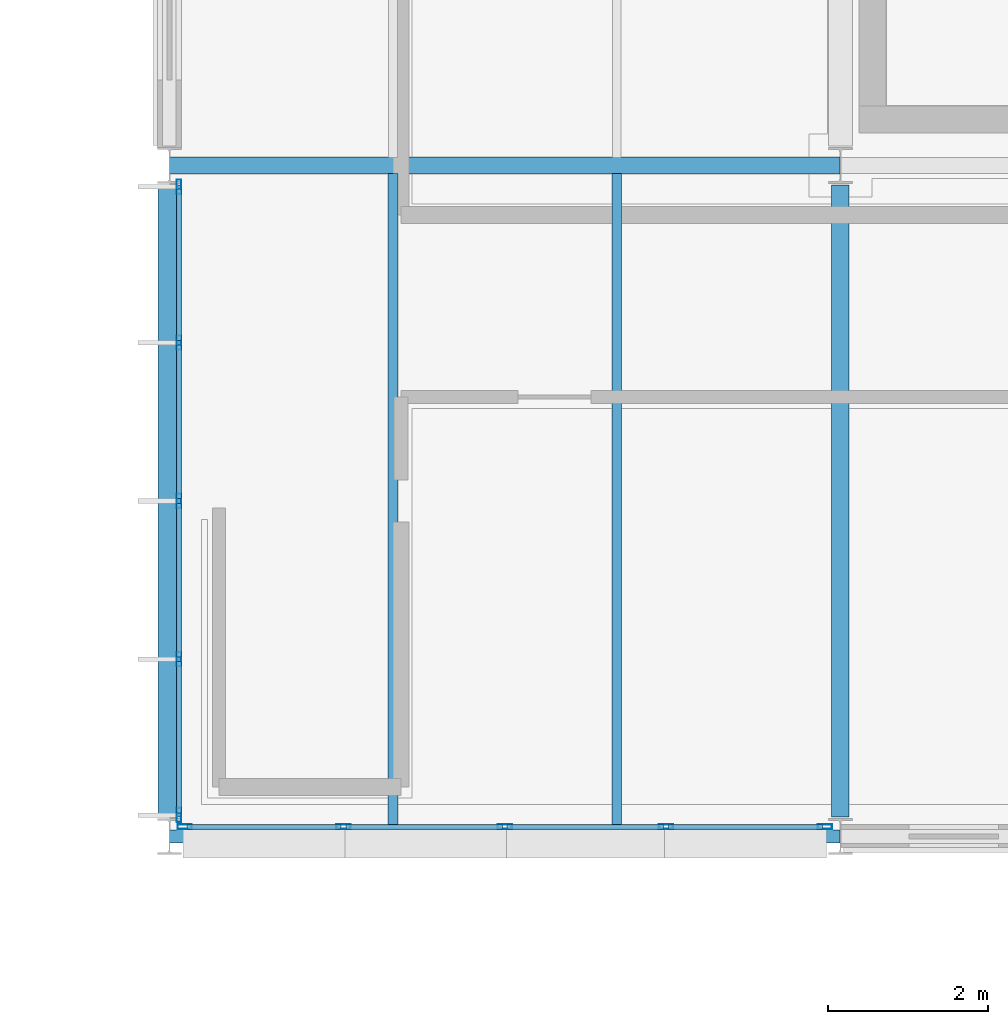
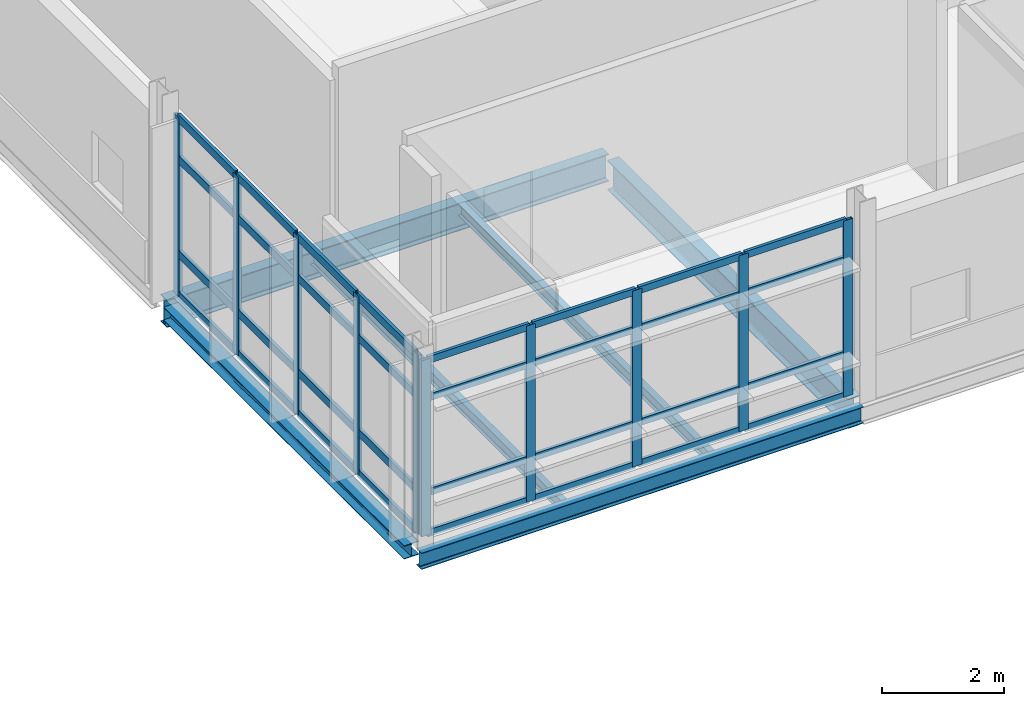
# One storey, part 66 of 103: 42 members, 6 beams, 2 elements without a shape of their own.
"""IFC4 building model written with IfcOpenShell, lengths in metres."""

from ifc_helpers import new_model, si_unit, direction, frame, origin, origin_2d, place, context, subcontext, project, spatial, hollow_rectangle, i_section, extrude, material, material_profile, profile_set, type_object, element, aggregate, save


model = new_model("IFC4")

# Units and contexts
model_context = context("Model", 3, precision=1e-05, world=origin(), true_north=direction((0.0, 1.0)))
body_context = subcontext(model_context, "Body", "Model", "MODEL_VIEW")
ifc_project = project(units=[si_unit("LENGTHUNIT", "METRE"), si_unit("AREAUNIT", "SQUARE_METRE"), si_unit("VOLUMEUNIT", "CUBIC_METRE"), si_unit("PLANEANGLEUNIT", "RADIAN"), si_unit("MASSUNIT", "GRAM", prefix="KILO")], contexts=[model_context])

# Site, building, storey
site_placement = place(None, origin())
site = spatial("IfcSite", under=ifc_project, at=site_placement, CompositionType="ELEMENT")
building_placement = place(site_placement, origin())
building = spatial("IfcBuilding", under=site, at=building_placement, Name="Mersafa Astral City Hall", CompositionType="ELEMENT")
storey_placement = place(building_placement, frame((0.0, 0.0, 18.0)))
storey = spatial("IfcBuildingStorey", under=building, at=storey_placement, Name="L04", CompositionType="ELEMENT", Elevation=18.0)

# Curtain wall, members
ifc_material_1 = material(Name="Anodised bronze aluminium framing", Category="aluminium")
curtain_wall_type_1 = type_object("IfcCurtainWallType", Name="ENV-CW-5", PredefinedType="USERDEFINED", material=ifc_material_1)
curtain_wall_1_placement = place(storey_placement, origin())
curtain_wall_1 = element("IfcCurtainWall", 1, at=curtain_wall_1_placement, inside=storey, type_object=curtain_wall_type_1, Name="L04 Unitised solar curtain wall 220", ObjectType="UNITISED CURTAIN WALL", PredefinedType="USERDEFINED")
ifc_material_profile_1 = material_profile(ifc_material_1, hollow_rectangle(XDim=0.06005859375, YDim=0.179931640625, WallThickness=0.00390625, at=origin_2d()), Name="RHS 60x180x4")
ifc_profile_set_1 = profile_set([ifc_material_profile_1], Name="Anodised bronze aluminium framing")
member_type_1 = type_object("IfcMemberType", Name="ENV-CW-MUL-1", PredefinedType="MULLION", material=ifc_profile_set_1)
member_1_placement = place(storey_placement, frame((142.919921875, 108.93310546875, -0.001953125), z_axis=(0.0, 0.0, 1.0), x_axis=(1.0, 0.0, 0.0)))
member_1 = element("IfcMember", 2, at=member_1_placement, type_object=member_type_1, Name="CW-5 mullion 1", PredefinedType="MULLION", context=body_context, shape_type="SweptSolid", body=[
    extrude(hollow_rectangle(XDim=0.06005859375, YDim=0.179931640625, WallThickness=0.00390625, at=origin_2d()), origin(), (0.0, 0.0, 1.0), 3.598876953125),
])
member_2_placement = place(storey_placement, frame((142.919921875, 106.9814453125, -0.001953125), z_axis=(0.0, 0.0, 1.0), x_axis=(1.0, 0.0, 0.0)))
member_2 = element("IfcMember", 3, at=member_2_placement, type_object=member_type_1, Name="CW-5 mullion 2", PredefinedType="MULLION", context=body_context, shape_type="SweptSolid", body=[
    extrude(hollow_rectangle(XDim=0.06005859375, YDim=0.179931640625, WallThickness=0.00390625, at=origin_2d()), origin(), (0.0, 0.0, 1.0), 3.598876953125),
])
member_3_placement = place(storey_placement, frame((142.919921875, 105.0, -0.001953125), z_axis=(0.0, 0.0, 1.0), x_axis=(1.0, 0.0, 0.0)))
member_3 = element("IfcMember", 4, at=member_3_placement, type_object=member_type_1, Name="CW-5 mullion 3", PredefinedType="MULLION", context=body_context, shape_type="SweptSolid", body=[
    extrude(hollow_rectangle(XDim=0.06005859375, YDim=0.179931640625, WallThickness=0.00390625, at=origin_2d()), origin(), (0.0, 0.0, 1.0), 3.598876953125),
])
member_4_placement = place(storey_placement, frame((142.919921875, 103.0185546875, -0.001953125), z_axis=(0.0, 0.0, 1.0), x_axis=(1.0, 0.0, 0.0)))
member_4 = element("IfcMember", 5, at=member_4_placement, type_object=member_type_1, Name="CW-5 mullion 4", PredefinedType="MULLION", context=body_context, shape_type="SweptSolid", body=[
    extrude(hollow_rectangle(XDim=0.06005859375, YDim=0.179931640625, WallThickness=0.00390625, at=origin_2d()), origin(), (0.0, 0.0, 1.0), 3.598876953125),
])
member_5_placement = place(storey_placement, frame((142.919921875, 101.06689453125, -0.001953125), z_axis=(0.0, 0.0, 1.0), x_axis=(1.0, 0.0, 0.0)))
member_5 = element("IfcMember", 6, at=member_5_placement, type_object=member_type_1, Name="CW-5 mullion 5", PredefinedType="MULLION", context=body_context, shape_type="SweptSolid", body=[
    extrude(hollow_rectangle(XDim=0.06005859375, YDim=0.179931640625, WallThickness=0.00390625, at=origin_2d()), origin(), (0.0, 0.0, 1.0), 3.598876953125),
])

curtain_wall_type_2 = type_object("IfcCurtainWallType", Name="ENV-CW-6", PredefinedType="USERDEFINED", material=ifc_material_1)
curtain_wall_2_placement = place(storey_placement, origin())
curtain_wall_2 = element("IfcCurtainWall", 7, at=curtain_wall_2_placement, inside=storey, type_object=curtain_wall_type_2, Name="L04 Unitised solar curtain wall 221", ObjectType="UNITISED CURTAIN WALL", PredefinedType="USERDEFINED")
member_6_placement = place(storey_placement, frame((142.991943359375, 100.919921875, -0.001953125), z_axis=(0.0, 0.0, 1.0), x_axis=(0.0, 1.0, 0.0)))
member_6 = element("IfcMember", 8, at=member_6_placement, type_object=member_type_1, Name="CW-6 mullion 1", PredefinedType="MULLION", context=body_context, shape_type="SweptSolid", body=[
    extrude(hollow_rectangle(XDim=0.06005859375, YDim=0.179931640625, WallThickness=0.00390625, at=origin_2d()), origin(), (0.0, 0.0, 1.0), 3.5390625),
])
member_7_placement = place(storey_placement, frame((144.98095703125, 100.919921875, -0.001953125), z_axis=(0.0, 0.0, 1.0), x_axis=(0.0, 1.0, 0.0)))
member_7 = element("IfcMember", 9, at=member_7_placement, type_object=member_type_1, Name="CW-6 mullion 2", PredefinedType="MULLION", context=body_context, shape_type="SweptSolid", body=[
    extrude(hollow_rectangle(XDim=0.06005859375, YDim=0.179931640625, WallThickness=0.00390625, at=origin_2d()), origin(), (0.0, 0.0, 1.0), 3.5390625),
])
member_8_placement = place(storey_placement, frame((147.0, 100.919921875, -0.001953125), z_axis=(0.0, 0.0, 1.0), x_axis=(0.0, 1.0, 0.0)))
member_8 = element("IfcMember", 10, at=member_8_placement, type_object=member_type_1, Name="CW-6 mullion 3", PredefinedType="MULLION", context=body_context, shape_type="SweptSolid", body=[
    extrude(hollow_rectangle(XDim=0.06005859375, YDim=0.179931640625, WallThickness=0.00390625, at=origin_2d()), origin(), (0.0, 0.0, 1.0), 3.5390625),
])
member_9_placement = place(storey_placement, frame((149.01904296875, 100.919921875, -0.001953125), z_axis=(0.0, 0.0, 1.0), x_axis=(0.0, 1.0, 0.0)))
member_9 = element("IfcMember", 11, at=member_9_placement, type_object=member_type_1, Name="CW-6 mullion 4", PredefinedType="MULLION", context=body_context, shape_type="SweptSolid", body=[
    extrude(hollow_rectangle(XDim=0.06005859375, YDim=0.179931640625, WallThickness=0.00390625, at=origin_2d()), origin(), (0.0, 0.0, 1.0), 3.5390625),
])
member_10_placement = place(storey_placement, frame((151.008056640625, 100.919921875, -0.001953125), z_axis=(0.0, 0.0, 1.0), x_axis=(0.0, 1.0, 0.0)))
member_10 = element("IfcMember", 12, at=member_10_placement, type_object=member_type_1, Name="CW-6 mullion 5", PredefinedType="MULLION", context=body_context, shape_type="SweptSolid", body=[
    extrude(hollow_rectangle(XDim=0.06005859375, YDim=0.179931640625, WallThickness=0.00390625, at=origin_2d()), origin(), (0.0, 0.0, 1.0), 3.5390625),
])
ifc_material_profile_2 = material_profile(ifc_material_1, hollow_rectangle(XDim=0.06005859375, YDim=0.139892578125, WallThickness=0.00390625, at=origin_2d()), Name="RHS 60x140x4")
ifc_profile_set_2 = profile_set([ifc_material_profile_2], Name="Anodised bronze aluminium framing")
member_type_2 = type_object("IfcMemberType", Name="ENV-CW-TRN-1", PredefinedType="USERDEFINED", material=ifc_profile_set_2)
member_11_placement = place(storey_placement, frame((143.02197265625, 100.919921875, 0.028076171875), z_axis=(1.0, 0.0, 0.0), x_axis=(0.0, 1.0, 0.0)))
member_11 = element("IfcMember", 13, at=member_11_placement, type_object=member_type_2, Name="CW-6 transom 1.1", ObjectType="TRANSOM", PredefinedType="USERDEFINED", context=body_context, shape_type="SweptSolid", body=[
    extrude(hollow_rectangle(XDim=0.06005859375, YDim=0.139892578125, WallThickness=0.00390625, at=origin_2d()), origin(), (0.0, 0.0, 1.0), 1.928955078125),
])
member_12_placement = place(storey_placement, frame((143.02197265625, 100.919921875, 0.85009765625), z_axis=(1.0, 0.0, 0.0), x_axis=(0.0, 1.0, 0.0)))
member_12 = element("IfcMember", 14, at=member_12_placement, type_object=member_type_2, Name="CW-6 transom 1.2", ObjectType="TRANSOM", PredefinedType="USERDEFINED", context=body_context, shape_type="SweptSolid", body=[
    extrude(hollow_rectangle(XDim=0.06005859375, YDim=0.139892578125, WallThickness=0.00390625, at=origin_2d()), origin(), (0.0, 0.0, 1.0), 1.928955078125),
])
member_13_placement = place(storey_placement, frame((143.02197265625, 100.919921875, 2.75), z_axis=(1.0, 0.0, 0.0), x_axis=(0.0, 1.0, 0.0)))
member_13 = element("IfcMember", 15, at=member_13_placement, type_object=member_type_2, Name="CW-6 transom 1.3", ObjectType="TRANSOM", PredefinedType="USERDEFINED", context=body_context, shape_type="SweptSolid", body=[
    extrude(hollow_rectangle(XDim=0.06005859375, YDim=0.139892578125, WallThickness=0.00390625, at=origin_2d()), origin(), (0.0, 0.0, 1.0), 1.928955078125),
])
member_14_placement = place(storey_placement, frame((143.02197265625, 100.919921875, 3.507080078125), z_axis=(1.0, 0.0, 0.0), x_axis=(0.0, 1.0, 0.0)))
member_14 = element("IfcMember", 16, at=member_14_placement, type_object=member_type_2, Name="CW-6 transom 1.4", ObjectType="TRANSOM", PredefinedType="USERDEFINED", context=body_context, shape_type="SweptSolid", body=[
    extrude(hollow_rectangle(XDim=0.06005859375, YDim=0.139892578125, WallThickness=0.00390625, at=origin_2d()), origin(), (0.0, 0.0, 1.0), 1.928955078125),
])
member_15_placement = place(storey_placement, frame((145.010986328125, 100.919921875, 0.028076171875), z_axis=(1.0, 0.0, 0.0), x_axis=(0.0, 1.0, 0.0)))
member_15 = element("IfcMember", 17, at=member_15_placement, type_object=member_type_2, Name="CW-6 transom 2.1", ObjectType="TRANSOM", PredefinedType="USERDEFINED", context=body_context, shape_type="SweptSolid", body=[
    extrude(hollow_rectangle(XDim=0.06005859375, YDim=0.139892578125, WallThickness=0.00390625, at=origin_2d()), origin(), (0.0, 0.0, 1.0), 1.958984375),
])
member_16_placement = place(storey_placement, frame((145.010986328125, 100.919921875, 0.85009765625), z_axis=(1.0, 0.0, 0.0), x_axis=(0.0, 1.0, 0.0)))
member_16 = element("IfcMember", 18, at=member_16_placement, type_object=member_type_2, Name="CW-6 transom 2.2", ObjectType="TRANSOM", PredefinedType="USERDEFINED", context=body_context, shape_type="SweptSolid", body=[
    extrude(hollow_rectangle(XDim=0.06005859375, YDim=0.139892578125, WallThickness=0.00390625, at=origin_2d()), origin(), (0.0, 0.0, 1.0), 1.958984375),
])
member_17_placement = place(storey_placement, frame((145.010986328125, 100.919921875, 2.75), z_axis=(1.0, 0.0, 0.0), x_axis=(0.0, 1.0, 0.0)))
member_17 = element("IfcMember", 19, at=member_17_placement, type_object=member_type_2, Name="CW-6 transom 2.3", ObjectType="TRANSOM", PredefinedType="USERDEFINED", context=body_context, shape_type="SweptSolid", body=[
    extrude(hollow_rectangle(XDim=0.06005859375, YDim=0.139892578125, WallThickness=0.00390625, at=origin_2d()), origin(), (0.0, 0.0, 1.0), 1.958984375),
])
member_18_placement = place(storey_placement, frame((145.010986328125, 100.919921875, 3.507080078125), z_axis=(1.0, 0.0, 0.0), x_axis=(0.0, 1.0, 0.0)))
member_18 = element("IfcMember", 20, at=member_18_placement, type_object=member_type_2, Name="CW-6 transom 2.4", ObjectType="TRANSOM", PredefinedType="USERDEFINED", context=body_context, shape_type="SweptSolid", body=[
    extrude(hollow_rectangle(XDim=0.06005859375, YDim=0.139892578125, WallThickness=0.00390625, at=origin_2d()), origin(), (0.0, 0.0, 1.0), 1.958984375),
])
member_19_placement = place(storey_placement, frame((147.030029296875, 100.919921875, 0.028076171875), z_axis=(1.0, 0.0, 0.0), x_axis=(0.0, 1.0, 0.0)))
member_19 = element("IfcMember", 21, at=member_19_placement, type_object=member_type_2, Name="CW-6 transom 3.1", ObjectType="TRANSOM", PredefinedType="USERDEFINED", context=body_context, shape_type="SweptSolid", body=[
    extrude(hollow_rectangle(XDim=0.06005859375, YDim=0.139892578125, WallThickness=0.00390625, at=origin_2d()), origin(), (0.0, 0.0, 1.0), 1.958984375),
])
member_20_placement = place(storey_placement, frame((147.030029296875, 100.919921875, 0.85009765625), z_axis=(1.0, 0.0, 0.0), x_axis=(0.0, 1.0, 0.0)))
member_20 = element("IfcMember", 22, at=member_20_placement, type_object=member_type_2, Name="CW-6 transom 3.2", ObjectType="TRANSOM", PredefinedType="USERDEFINED", context=body_context, shape_type="SweptSolid", body=[
    extrude(hollow_rectangle(XDim=0.06005859375, YDim=0.139892578125, WallThickness=0.00390625, at=origin_2d()), origin(), (0.0, 0.0, 1.0), 1.958984375),
])
member_21_placement = place(storey_placement, frame((147.030029296875, 100.919921875, 2.75), z_axis=(1.0, 0.0, 0.0), x_axis=(0.0, 1.0, 0.0)))
member_21 = element("IfcMember", 23, at=member_21_placement, type_object=member_type_2, Name="CW-6 transom 3.3", ObjectType="TRANSOM", PredefinedType="USERDEFINED", context=body_context, shape_type="SweptSolid", body=[
    extrude(hollow_rectangle(XDim=0.06005859375, YDim=0.139892578125, WallThickness=0.00390625, at=origin_2d()), origin(), (0.0, 0.0, 1.0), 1.958984375),
])
member_22_placement = place(storey_placement, frame((147.030029296875, 100.919921875, 3.507080078125), z_axis=(1.0, 0.0, 0.0), x_axis=(0.0, 1.0, 0.0)))
member_22 = element("IfcMember", 24, at=member_22_placement, type_object=member_type_2, Name="CW-6 transom 3.4", ObjectType="TRANSOM", PredefinedType="USERDEFINED", context=body_context, shape_type="SweptSolid", body=[
    extrude(hollow_rectangle(XDim=0.06005859375, YDim=0.139892578125, WallThickness=0.00390625, at=origin_2d()), origin(), (0.0, 0.0, 1.0), 1.958984375),
])
member_23_placement = place(storey_placement, frame((149.049072265625, 100.919921875, 0.028076171875), z_axis=(1.0, 0.0, 0.0), x_axis=(0.0, 1.0, 0.0)))
member_23 = element("IfcMember", 25, at=member_23_placement, type_object=member_type_2, Name="CW-6 transom 4.1", ObjectType="TRANSOM", PredefinedType="USERDEFINED", context=body_context, shape_type="SweptSolid", body=[
    extrude(hollow_rectangle(XDim=0.06005859375, YDim=0.139892578125, WallThickness=0.00390625, at=origin_2d()), origin(), (0.0, 0.0, 1.0), 1.928955078125),
])
member_24_placement = place(storey_placement, frame((149.049072265625, 100.919921875, 0.85009765625), z_axis=(1.0, 0.0, 0.0), x_axis=(0.0, 1.0, 0.0)))
member_24 = element("IfcMember", 26, at=member_24_placement, type_object=member_type_2, Name="CW-6 transom 4.2", ObjectType="TRANSOM", PredefinedType="USERDEFINED", context=body_context, shape_type="SweptSolid", body=[
    extrude(hollow_rectangle(XDim=0.06005859375, YDim=0.139892578125, WallThickness=0.00390625, at=origin_2d()), origin(), (0.0, 0.0, 1.0), 1.928955078125),
])
member_25_placement = place(storey_placement, frame((149.049072265625, 100.919921875, 2.75), z_axis=(1.0, 0.0, 0.0), x_axis=(0.0, 1.0, 0.0)))
member_25 = element("IfcMember", 27, at=member_25_placement, type_object=member_type_2, Name="CW-6 transom 4.3", ObjectType="TRANSOM", PredefinedType="USERDEFINED", context=body_context, shape_type="SweptSolid", body=[
    extrude(hollow_rectangle(XDim=0.06005859375, YDim=0.139892578125, WallThickness=0.00390625, at=origin_2d()), origin(), (0.0, 0.0, 1.0), 1.928955078125),
])
member_26_placement = place(storey_placement, frame((149.049072265625, 100.919921875, 3.507080078125), z_axis=(1.0, 0.0, 0.0), x_axis=(0.0, 1.0, 0.0)))
member_26 = element("IfcMember", 28, at=member_26_placement, type_object=member_type_2, Name="CW-6 transom 4.4", ObjectType="TRANSOM", PredefinedType="USERDEFINED", context=body_context, shape_type="SweptSolid", body=[
    extrude(hollow_rectangle(XDim=0.06005859375, YDim=0.139892578125, WallThickness=0.00390625, at=origin_2d()), origin(), (0.0, 0.0, 1.0), 1.928955078125),
])
aggregate(curtain_wall_2, [member_6, member_7, member_8, member_9, member_10, member_11, member_12, member_13, member_14, member_15, member_16, member_17, member_18, member_19, member_20, member_21, member_22, member_23, member_24, member_25, member_26])

# Member
ifc_material_profile_3 = material_profile(ifc_material_1, hollow_rectangle(XDim=0.06005859375, YDim=0.159912109375, WallThickness=0.00390625, at=origin_2d()), Name="RHS 60x160x4")
ifc_profile_set_3 = profile_set([ifc_material_profile_3], Name="Anodised bronze aluminium framing")
member_type_3 = type_object("IfcMemberType", Name="ENV-CW-TRN-2", PredefinedType="USERDEFINED", material=ifc_profile_set_3)
member_27_placement = place(storey_placement, frame((142.919921875, 108.903076171875, 0.028076171875), z_axis=(0.0, -1.0, 0.0), x_axis=(1.0, 0.0, 0.0)))
member_27 = element("IfcMember", 29, at=member_27_placement, type_object=member_type_3, Name="CW-5 transom 1.1", ObjectType="TRANSOM", PredefinedType="USERDEFINED", context=body_context, shape_type="SweptSolid", body=[
    extrude(hollow_rectangle(XDim=0.06005859375, YDim=0.159912109375, WallThickness=0.00390625, at=origin_2d()), origin(), (0.0, 0.0, 1.0), 1.8916015625),
])

member_28_placement = place(storey_placement, frame((142.919921875, 108.903076171875, 0.85009765625), z_axis=(0.0, -1.0, 0.0), x_axis=(1.0, 0.0, 0.0)))
member_28 = element("IfcMember", 30, at=member_28_placement, type_object=member_type_3, Name="CW-5 transom 1.2", ObjectType="TRANSOM", PredefinedType="USERDEFINED", context=body_context, shape_type="SweptSolid", body=[
    extrude(hollow_rectangle(XDim=0.06005859375, YDim=0.159912109375, WallThickness=0.00390625, at=origin_2d()), origin(), (0.0, 0.0, 1.0), 1.8916015625),
])

member_29_placement = place(storey_placement, frame((142.919921875, 108.903076171875, 2.75), z_axis=(0.0, -1.0, 0.0), x_axis=(1.0, 0.0, 0.0)))
member_29 = element("IfcMember", 31, at=member_29_placement, type_object=member_type_3, Name="CW-5 transom 1.3", ObjectType="TRANSOM", PredefinedType="USERDEFINED", context=body_context, shape_type="SweptSolid", body=[
    extrude(hollow_rectangle(XDim=0.06005859375, YDim=0.159912109375, WallThickness=0.00390625, at=origin_2d()), origin(), (0.0, 0.0, 1.0), 1.8916015625),
])

member_30_placement = place(storey_placement, frame((142.919921875, 108.903076171875, 3.56689453125), z_axis=(0.0, -1.0, 0.0), x_axis=(1.0, 0.0, 0.0)))
member_30 = element("IfcMember", 32, at=member_30_placement, type_object=member_type_3, Name="CW-5 transom 1.4", ObjectType="TRANSOM", PredefinedType="USERDEFINED", context=body_context, shape_type="SweptSolid", body=[
    extrude(hollow_rectangle(XDim=0.06005859375, YDim=0.159912109375, WallThickness=0.00390625, at=origin_2d()), origin(), (0.0, 0.0, 1.0), 1.8916015625),
])

member_31_placement = place(storey_placement, frame((142.919921875, 106.951416015625, 0.028076171875), z_axis=(0.0, -1.0, 0.0), x_axis=(1.0, 0.0, 0.0)))
member_31 = element("IfcMember", 33, at=member_31_placement, type_object=member_type_3, Name="CW-5 transom 2.1", ObjectType="TRANSOM", PredefinedType="USERDEFINED", context=body_context, shape_type="SweptSolid", body=[
    extrude(hollow_rectangle(XDim=0.06005859375, YDim=0.159912109375, WallThickness=0.00390625, at=origin_2d()), origin(), (0.0, 0.0, 1.0), 1.92138671875),
])

member_32_placement = place(storey_placement, frame((142.919921875, 106.951416015625, 0.85009765625), z_axis=(0.0, -1.0, 0.0), x_axis=(1.0, 0.0, 0.0)))
member_32 = element("IfcMember", 34, at=member_32_placement, type_object=member_type_3, Name="CW-5 transom 2.2", ObjectType="TRANSOM", PredefinedType="USERDEFINED", context=body_context, shape_type="SweptSolid", body=[
    extrude(hollow_rectangle(XDim=0.06005859375, YDim=0.159912109375, WallThickness=0.00390625, at=origin_2d()), origin(), (0.0, 0.0, 1.0), 1.92138671875),
])

member_33_placement = place(storey_placement, frame((142.919921875, 106.951416015625, 2.75), z_axis=(0.0, -1.0, 0.0), x_axis=(1.0, 0.0, 0.0)))
member_33 = element("IfcMember", 35, at=member_33_placement, type_object=member_type_3, Name="CW-5 transom 2.3", ObjectType="TRANSOM", PredefinedType="USERDEFINED", context=body_context, shape_type="SweptSolid", body=[
    extrude(hollow_rectangle(XDim=0.06005859375, YDim=0.159912109375, WallThickness=0.00390625, at=origin_2d()), origin(), (0.0, 0.0, 1.0), 1.92138671875),
])

member_34_placement = place(storey_placement, frame((142.919921875, 106.951416015625, 3.56689453125), z_axis=(0.0, -1.0, 0.0), x_axis=(1.0, 0.0, 0.0)))
member_34 = element("IfcMember", 36, at=member_34_placement, type_object=member_type_3, Name="CW-5 transom 2.4", ObjectType="TRANSOM", PredefinedType="USERDEFINED", context=body_context, shape_type="SweptSolid", body=[
    extrude(hollow_rectangle(XDim=0.06005859375, YDim=0.159912109375, WallThickness=0.00390625, at=origin_2d()), origin(), (0.0, 0.0, 1.0), 1.92138671875),
])

member_35_placement = place(storey_placement, frame((142.919921875, 104.969970703125, 0.028076171875), z_axis=(0.0, -1.0, 0.0), x_axis=(1.0, 0.0, 0.0)))
member_35 = element("IfcMember", 37, at=member_35_placement, type_object=member_type_3, Name="CW-5 transom 3.1", ObjectType="TRANSOM", PredefinedType="USERDEFINED", context=body_context, shape_type="SweptSolid", body=[
    extrude(hollow_rectangle(XDim=0.06005859375, YDim=0.159912109375, WallThickness=0.00390625, at=origin_2d()), origin(), (0.0, 0.0, 1.0), 1.92138671875),
])

member_36_placement = place(storey_placement, frame((142.919921875, 104.969970703125, 0.85009765625), z_axis=(0.0, -1.0, 0.0), x_axis=(1.0, 0.0, 0.0)))
member_36 = element("IfcMember", 38, at=member_36_placement, type_object=member_type_3, Name="CW-5 transom 3.2", ObjectType="TRANSOM", PredefinedType="USERDEFINED", context=body_context, shape_type="SweptSolid", body=[
    extrude(hollow_rectangle(XDim=0.06005859375, YDim=0.159912109375, WallThickness=0.00390625, at=origin_2d()), origin(), (0.0, 0.0, 1.0), 1.92138671875),
])

member_37_placement = place(storey_placement, frame((142.919921875, 104.969970703125, 2.75), z_axis=(0.0, -1.0, 0.0), x_axis=(1.0, 0.0, 0.0)))
member_37 = element("IfcMember", 39, at=member_37_placement, type_object=member_type_3, Name="CW-5 transom 3.3", ObjectType="TRANSOM", PredefinedType="USERDEFINED", context=body_context, shape_type="SweptSolid", body=[
    extrude(hollow_rectangle(XDim=0.06005859375, YDim=0.159912109375, WallThickness=0.00390625, at=origin_2d()), origin(), (0.0, 0.0, 1.0), 1.92138671875),
])

member_38_placement = place(storey_placement, frame((142.919921875, 104.969970703125, 3.56689453125), z_axis=(0.0, -1.0, 0.0), x_axis=(1.0, 0.0, 0.0)))
member_38 = element("IfcMember", 40, at=member_38_placement, type_object=member_type_3, Name="CW-5 transom 3.4", ObjectType="TRANSOM", PredefinedType="USERDEFINED", context=body_context, shape_type="SweptSolid", body=[
    extrude(hollow_rectangle(XDim=0.06005859375, YDim=0.159912109375, WallThickness=0.00390625, at=origin_2d()), origin(), (0.0, 0.0, 1.0), 1.92138671875),
])

member_39_placement = place(storey_placement, frame((142.919921875, 102.988525390625, 0.028076171875), z_axis=(0.0, -1.0, 0.0), x_axis=(1.0, 0.0, 0.0)))
member_39 = element("IfcMember", 41, at=member_39_placement, type_object=member_type_3, Name="CW-5 transom 4.1", ObjectType="TRANSOM", PredefinedType="USERDEFINED", context=body_context, shape_type="SweptSolid", body=[
    extrude(hollow_rectangle(XDim=0.06005859375, YDim=0.159912109375, WallThickness=0.00390625, at=origin_2d()), origin(), (0.0, 0.0, 1.0), 1.8916015625),
])

member_40_placement = place(storey_placement, frame((142.919921875, 102.988525390625, 0.85009765625), z_axis=(0.0, -1.0, 0.0), x_axis=(1.0, 0.0, 0.0)))
member_40 = element("IfcMember", 42, at=member_40_placement, type_object=member_type_3, Name="CW-5 transom 4.2", ObjectType="TRANSOM", PredefinedType="USERDEFINED", context=body_context, shape_type="SweptSolid", body=[
    extrude(hollow_rectangle(XDim=0.06005859375, YDim=0.159912109375, WallThickness=0.00390625, at=origin_2d()), origin(), (0.0, 0.0, 1.0), 1.8916015625),
])

member_41_placement = place(storey_placement, frame((142.919921875, 102.988525390625, 2.75), z_axis=(0.0, -1.0, 0.0), x_axis=(1.0, 0.0, 0.0)))
member_41 = element("IfcMember", 43, at=member_41_placement, type_object=member_type_3, Name="CW-5 transom 4.3", ObjectType="TRANSOM", PredefinedType="USERDEFINED", context=body_context, shape_type="SweptSolid", body=[
    extrude(hollow_rectangle(XDim=0.06005859375, YDim=0.159912109375, WallThickness=0.00390625, at=origin_2d()), origin(), (0.0, 0.0, 1.0), 1.8916015625),
])

member_42_placement = place(storey_placement, frame((142.919921875, 102.988525390625, 3.56689453125), z_axis=(0.0, -1.0, 0.0), x_axis=(1.0, 0.0, 0.0)))
member_42 = element("IfcMember", 44, at=member_42_placement, type_object=member_type_3, Name="CW-5 transom 4.4", ObjectType="TRANSOM", PredefinedType="USERDEFINED", context=body_context, shape_type="SweptSolid", body=[
    extrude(hollow_rectangle(XDim=0.06005859375, YDim=0.159912109375, WallThickness=0.00390625, at=origin_2d()), origin(), (0.0, 0.0, 1.0), 1.8916015625),
])

aggregate(curtain_wall_1, [member_1, member_2, member_3, member_4, member_5, member_27, member_28, member_29, member_30, member_31, member_32, member_33, member_34, member_35, member_36, member_37, member_38, member_39, member_40, member_41, member_42])

# Beams
ifc_material_2 = material(Name="Steel S355", Category="steel")
ifc_material_profile_4 = material_profile(ifc_material_2, i_section(OverallWidth=0.2099609375, OverallDepth=0.550048828125, WebThickness=0.010986328125, FlangeThickness=0.01708984375, FilletRadius=0.02392578125, at=origin_2d()), Name="IPE 550")
ifc_profile_set_4 = profile_set([ifc_material_profile_4], Name="Steel S355")
beam_type_1 = type_object("IfcBeamType", Name="STR-BM-IPE550", PredefinedType="BEAM", material=ifc_profile_set_4)
beam_1_placement = place(storey_placement, frame((142.802978515625, 109.199951171875, -0.4599609375), z_axis=(1.0, 0.0, 0.0), x_axis=(0.0, 1.0, 0.0)))
element("IfcBeam", 45, at=beam_1_placement, inside=storey, type_object=beam_type_1, Name="L04 Primary girder X 17-13", PredefinedType="BEAM", context=body_context, shape_type="SweptSolid", body=[
    extrude(i_section(OverallWidth=0.2099609375, OverallDepth=0.550048828125, WebThickness=0.010986328125, FlangeThickness=0.01708984375, FilletRadius=0.02392578125, at=origin_2d()), origin(), (0.0, 0.0, 1.0), 8.39404296875),
])
ifc_material_profile_5 = material_profile(ifc_material_2, i_section(OverallWidth=0.219970703125, OverallDepth=0.60009765625, WebThickness=0.011962890625, FlangeThickness=0.01904296875, FilletRadius=0.02392578125, at=origin_2d()), Name="IPE 600")
ifc_profile_set_5 = profile_set([ifc_material_profile_5], Name="Steel S355")
beam_type_2 = type_object("IfcBeamType", Name="STR-BM-IPE600", PredefinedType="BEAM", material=ifc_profile_set_5)
beam_2_placement = place(storey_placement, frame((151.199951171875, 101.044921875, -0.485107421875), z_axis=(0.0, 1.0, 0.0), x_axis=(-1.0, 0.0, 0.0)))
element("IfcBeam", 46, at=beam_2_placement, inside=storey, type_object=beam_type_2, Name="L04 Primary girder Y 18-12", PredefinedType="BEAM", context=body_context, shape_type="SweptSolid", body=[
    extrude(i_section(OverallWidth=0.219970703125, OverallDepth=0.60009765625, WebThickness=0.011962890625, FlangeThickness=0.01904296875, FilletRadius=0.02392578125, at=origin_2d()), origin(), (0.0, 0.0, 1.0), 7.91015625),
])
ifc_material_profile_6 = material_profile(ifc_material_2, i_section(OverallWidth=0.1201171875, OverallDepth=0.239990234375, WebThickness=0.006103515625, FlangeThickness=0.009765625, FilletRadius=0.014892578125, at=origin_2d()), Name="IPE 240")
ifc_profile_set_6 = profile_set([ifc_material_profile_6], Name="Steel S355")
beam_type_3 = type_object("IfcBeamType", Name="STR-BM-JOIST-IPE240", PredefinedType="JOIST", material=ifc_profile_set_6)
for number, where, z_axis, x_axis, name in (
    (47, (145.60009765625, 100.875, -0.304931640625), (0.0, 1.0, 0.0), (-1.0, 0.0, 0.0), "L04 Composite secondary floor joist 752"),
    (48, (148.39990234375, 100.875, -0.304931640625), (0.0, 1.0, 0.0), (-1.0, 0.0, 0.0), "L04 Composite secondary floor joist 753"),
):
    element("IfcBeam", number, at=place(storey_placement, frame(where, z_axis=z_axis, x_axis=x_axis)), inside=storey, type_object=beam_type_3, Name=name, PredefinedType="JOIST", context=body_context, shape_type="SweptSolid", body=[
        extrude(i_section(OverallWidth=0.1201171875, OverallDepth=0.239990234375, WebThickness=0.006103515625, FlangeThickness=0.009765625, FilletRadius=0.014892578125, at=origin_2d()), origin(), (0.0, 0.0, 1.0), 8.22509765625),
    ])
ifc_material_profile_7 = material_profile(ifc_material_2, i_section(OverallWidth=0.280029296875, OverallDepth=0.27001953125, WebThickness=0.008056640625, FlangeThickness=0.012939453125, FilletRadius=0.02392578125, at=origin_2d()), Name="HEA 280")
ifc_profile_set_7 = profile_set([ifc_material_profile_7], Name="Steel S355")
beam_type_4 = type_object("IfcBeamType", Name="STR-BM-SPANDREL-HEA280", PredefinedType="SPANDREL", material=ifc_profile_set_7)
beam_3_placement = place(storey_placement, frame((142.800048828125, 101.044921875, -0.320068359375), z_axis=(0.0, 1.0, 0.0), x_axis=(-1.0, 0.0, 0.0)))
element("IfcBeam", 49, at=beam_3_placement, inside=storey, type_object=beam_type_4, Name="L04 Primary girder Y 17-12", PredefinedType="SPANDREL", context=body_context, shape_type="SweptSolid", body=[
    extrude(i_section(OverallWidth=0.280029296875, OverallDepth=0.27001953125, WebThickness=0.008056640625, FlangeThickness=0.012939453125, FilletRadius=0.02392578125, at=origin_2d()), origin(), (0.0, 0.0, 1.0), 7.91015625),
])
ifc_material_profile_8 = material_profile(ifc_material_2, i_section(OverallWidth=0.159912109375, OverallDepth=0.330078125, WebThickness=0.007568359375, FlangeThickness=0.011474609375, FilletRadius=0.01806640625, at=origin_2d()), Name="IPE 330")
ifc_profile_set_8 = profile_set([ifc_material_profile_8], Name="Steel S355")
beam_type_5 = type_object("IfcBeamType", Name="STR-BM-SPANDREL-IPE330", PredefinedType="SPANDREL", material=ifc_profile_set_8)
beam_4_placement = place(storey_placement, frame((142.802978515625, 100.800048828125, -0.35009765625), z_axis=(1.0, 0.0, 0.0), x_axis=(0.0, 1.0, 0.0)))
element("IfcBeam", 50, at=beam_4_placement, inside=storey, type_object=beam_type_5, Name="L04 Primary girder X 17-12", PredefinedType="SPANDREL", context=body_context, shape_type="SweptSolid", body=[
    extrude(i_section(OverallWidth=0.159912109375, OverallDepth=0.330078125, WebThickness=0.007568359375, FlangeThickness=0.011474609375, FilletRadius=0.01806640625, at=origin_2d()), origin(), (0.0, 0.0, 1.0), 8.39404296875),
])

save(model, "model.ifc")
